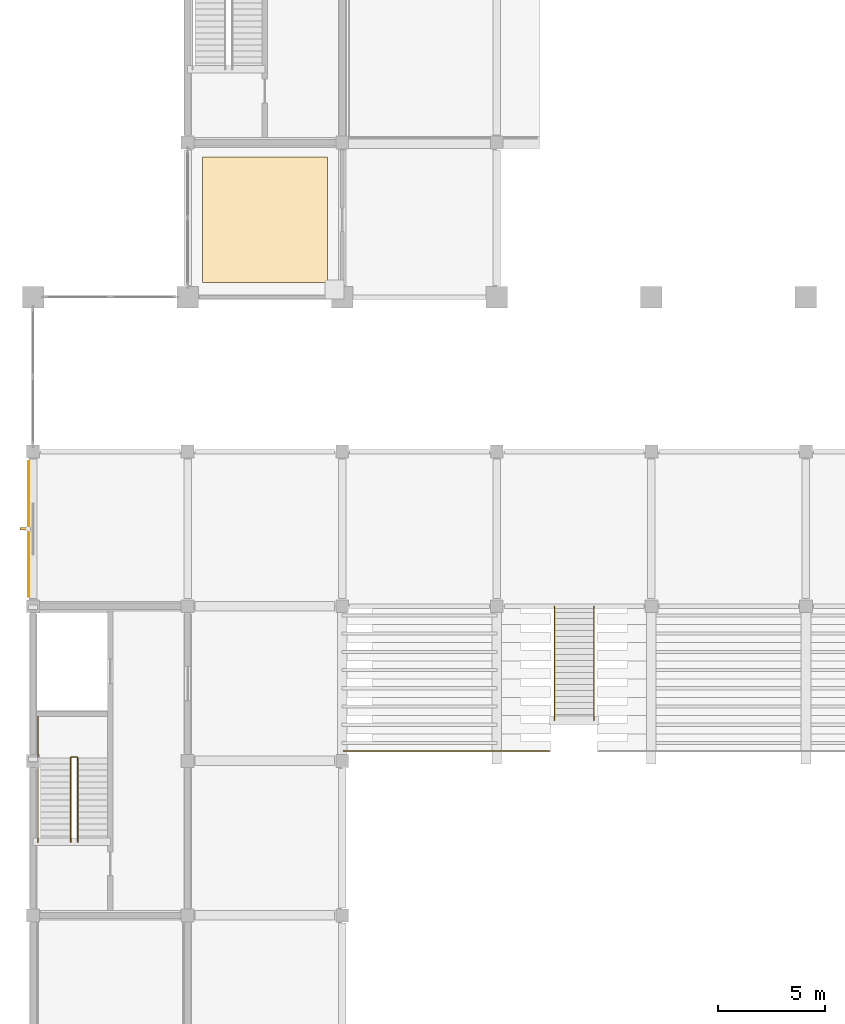
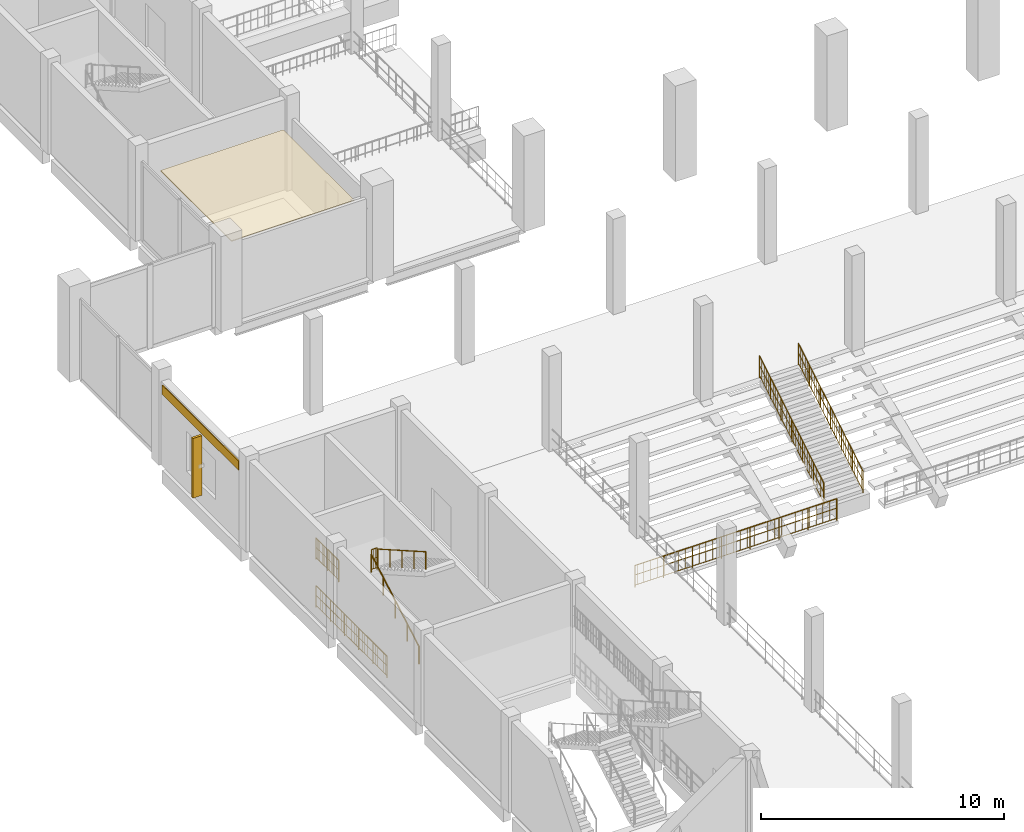
# One storey, part 89 of 99: 8 railings, 2 coverings, 1 shading device.
"""IFC4 building model written with IfcOpenShell, lengths in metres."""

from ifc_helpers import new_model, si_unit, direction, frame, frame_2d, origin, origin_2d, place, context, subcontext, project, spatial, polyline, rectangle, circle, outline, extrude, material, layer, layer_set, type_object, element, save


model = new_model("IFC4")

# Units and contexts
model_context = context("Model", 3, precision=1e-05, world=origin(), true_north=direction((0.0, 1.0)))
body_context = subcontext(model_context, "Body", "Model", "MODEL_VIEW")
ifc_project = project(units=[si_unit("LENGTHUNIT", "METRE"), si_unit("AREAUNIT", "SQUARE_METRE"), si_unit("VOLUMEUNIT", "CUBIC_METRE"), si_unit("PLANEANGLEUNIT", "RADIAN"), si_unit("MASSUNIT", "GRAM", prefix="KILO")], contexts=[model_context])

# Site, building, storey
site_placement = place(None, origin())
site = spatial("IfcSite", under=ifc_project, at=site_placement, CompositionType="ELEMENT")
building_placement = place(site_placement, origin())
building = spatial("IfcBuilding", under=site, at=building_placement, Name="Vesperath Aquatics Centre", CompositionType="ELEMENT")
storey_placement = place(building_placement, frame((0.0, 0.0, 5.39990234375)))
storey = spatial("IfcBuildingStorey", under=building, at=storey_placement, Name="L01", CompositionType="ELEMENT", Elevation=5.39990234375)

# Coverings
ifc_material_1 = material(Name="Teal and ochre glazed ceramic majolica frieze", Category="ceramic")
ifc_layer_1 = layer(ifc_material_1, 0.0400390625)
ifc_layer_set_1 = layer_set([ifc_layer_1], Name="Teal and ochre glazed ceramic majolica frieze")
covering_type_1 = type_object("IfcCoveringType", Name="CV-CLD01", PredefinedType="CLADDING", material=ifc_layer_set_1)
covering_1_placement = place(storey_placement, frame((-0.2099609375, 72.449951171875, 3.64013671875), z_axis=(0.0, 0.0, 1.0), x_axis=(0.0, 1.0, 0.0)))
element("IfcCovering", 1, at=covering_1_placement, inside=storey, type_object=covering_type_1, Name="Majolica Ceramic Frieze CLD1 L01_W_00_10", PredefinedType="CLADDING", context=body_context, shape_type="SweptSolid", body=[
    extrude(rectangle(XDim=6.300048828125, YDim=0.0400390625, at=frame_2d((3.14990234375, 0.0))), origin(), (0.0, 0.0, 1.0), 0.469970703125),
])
ifc_material_2 = material(Name="Perforated moisture-resistant acoustic mineral-fibre ceiling", Category="gypsum")
ifc_layer_2 = layer(ifc_material_2, 0.044921875)
ifc_layer_set_2 = layer_set([ifc_layer_2], Name="Perforated moisture-resistant acoustic mineral-fibre ceiling")
covering_type_2 = type_object("IfcCoveringType", Name="CV-CLG01", PredefinedType="CEILING", material=ifc_layer_set_2)
covering_2_placement = place(storey_placement, frame((0.0, 0.0, 3.425048828125)))
element("IfcCovering", 2, at=covering_2_placement, inside=storey, type_object=covering_type_2, Name="Acoustic Suspended Ceiling CLG1 L01_DIVE_JDG", PredefinedType="CEILING", context=body_context, shape_type="SweptSolid", body=[
    extrude(outline(polyline([(7.8798828125, 87.080078125), (13.719970703125, 87.080078125), (13.719970703125, 92.919921875), (7.8798828125, 92.919921875), (7.8798828125, 87.080078125)])), origin(), (0.0, 0.0, 1.0), 0.045166015625),
])

# Railings
ifc_material_3 = material(Name="Powder-coated galvanized steel safety guard", Category="steel")
railing_type_1 = type_object("IfcRailingType", Name="RL-GRD01", PredefinedType="GUARDRAIL", material=ifc_material_3)
railing_1_placement = place(storey_placement, frame((1.780029296875, 64.97998046875, 2.400146484375)))
element("IfcRailing", 3, at=railing_1_placement, inside=storey, type_object=railing_type_1, Name="Stair ST2 Half-Landing Slot Guard GR02 L01", PredefinedType="GUARDRAIL", context=body_context, shape_type="SweptSolid", body=[
    extrude(circle(Radius=0.02392578125, at=origin_2d()), frame((0.0, 0.0, 1.0859375), z_axis=(1.0, 0.0, 0.0), x_axis=(0.0, 1.0, 0.0)), (0.0, 0.0, 1.0), 0.260009765625),
    extrude(circle(Radius=0.01611328125, at=origin_2d()), frame((0.0, 0.0, 0.10009765625), z_axis=(1.0, 0.0, 0.0), x_axis=(0.0, 1.0, 0.0)), (0.0, 0.0, 1.0), 0.260009765625),
    extrude(circle(Radius=0.01611328125, at=origin_2d()), frame((0.0, 0.0, 0.610595703125), z_axis=(1.0, 0.0, 0.0), x_axis=(0.0, 1.0, 0.0)), (0.0, 0.0, 1.0), 0.260009765625),
    extrude(circle(Radius=0.009033203125, at=origin_2d()), frame((0.086669921875, 0.0, 0.10009765625)), (0.0, 0.0, 1.0), 0.9619140625),
    extrude(circle(Radius=0.009033203125, at=origin_2d()), frame((0.17333984375, 0.0, 0.10009765625)), (0.0, 0.0, 1.0), 0.9619140625),
    extrude(circle(Radius=0.02197265625, at=origin_2d()), origin(), (0.0, 0.0, 1.0), 1.0859375),
    extrude(circle(Radius=0.02197265625, at=origin_2d()), frame((0.260009765625, 0.0, 0.0)), (0.0, 0.0, 1.0), 1.0859375),
])
railing_2_placement = place(storey_placement, frame((0.219970703125, 64.97998046875, 2.400146484375)))
element("IfcRailing", 4, at=railing_2_placement, inside=storey, type_object=railing_type_1, Name="Stair ST2 Half-Landing Wall Guard GR02 L01", PredefinedType="GUARDRAIL", context=body_context, shape_type="SweptSolid", body=[
    extrude(circle(Radius=0.02392578125, at=origin_2d()), frame((0.0, 0.0, 1.0859375), z_axis=(0.0, 1.0, 0.0), x_axis=(-1.0, 0.0, 0.0)), (0.0, 0.0, 1.0), 1.880126953125),
    extrude(circle(Radius=0.01611328125, at=origin_2d()), frame((0.0, 0.0, 0.10009765625), z_axis=(0.0, 1.0, 0.0), x_axis=(-1.0, 0.0, 0.0)), (0.0, 0.0, 1.0), 1.880126953125),
    extrude(circle(Radius=0.01611328125, at=origin_2d()), frame((0.0, 0.0, 0.610595703125), z_axis=(0.0, 1.0, 0.0), x_axis=(-1.0, 0.0, 0.0)), (0.0, 0.0, 1.0), 1.880126953125),
    extrude(circle(Radius=0.009033203125, at=origin_2d()), frame((0.0, 0.1044921875, 0.10009765625)), (0.0, 0.0, 1.0), 0.9619140625),
    extrude(circle(Radius=0.009033203125, at=origin_2d()), frame((0.0, 0.208984375, 0.10009765625)), (0.0, 0.0, 1.0), 0.9619140625),
    extrude(circle(Radius=0.009033203125, at=origin_2d()), frame((0.0, 0.3134765625, 0.10009765625)), (0.0, 0.0, 1.0), 0.9619140625),
    extrude(circle(Radius=0.009033203125, at=origin_2d()), frame((0.0, 0.417724609375, 0.10009765625)), (0.0, 0.0, 1.0), 0.9619140625),
    extrude(circle(Radius=0.009033203125, at=origin_2d()), frame((0.0, 0.522216796875, 0.10009765625)), (0.0, 0.0, 1.0), 0.9619140625),
    extrude(circle(Radius=0.009033203125, at=origin_2d()), frame((0.0, 0.626708984375, 0.10009765625)), (0.0, 0.0, 1.0), 0.9619140625),
    extrude(circle(Radius=0.009033203125, at=origin_2d()), frame((0.0, 0.731201171875, 0.10009765625)), (0.0, 0.0, 1.0), 0.9619140625),
    extrude(circle(Radius=0.009033203125, at=origin_2d()), frame((0.0, 0.835693359375, 0.10009765625)), (0.0, 0.0, 1.0), 0.9619140625),
    extrude(circle(Radius=0.009033203125, at=origin_2d()), frame((0.0, 0.93994140625, 0.10009765625)), (0.0, 0.0, 1.0), 0.9619140625),
    extrude(circle(Radius=0.009033203125, at=origin_2d()), frame((0.0, 1.04443359375, 0.10009765625)), (0.0, 0.0, 1.0), 0.9619140625),
    extrude(circle(Radius=0.009033203125, at=origin_2d()), frame((0.0, 1.14892578125, 0.10009765625)), (0.0, 0.0, 1.0), 0.9619140625),
    extrude(circle(Radius=0.009033203125, at=origin_2d()), frame((0.0, 1.25341796875, 0.10009765625)), (0.0, 0.0, 1.0), 0.9619140625),
    extrude(circle(Radius=0.009033203125, at=origin_2d()), frame((0.0, 1.35791015625, 0.10009765625)), (0.0, 0.0, 1.0), 0.9619140625),
    extrude(circle(Radius=0.009033203125, at=origin_2d()), frame((0.0, 1.46240234375, 0.10009765625)), (0.0, 0.0, 1.0), 0.9619140625),
    extrude(circle(Radius=0.009033203125, at=origin_2d()), frame((0.0, 1.56689453125, 0.10009765625)), (0.0, 0.0, 1.0), 0.9619140625),
    extrude(circle(Radius=0.009033203125, at=origin_2d()), frame((0.0, 1.671142578125, 0.10009765625)), (0.0, 0.0, 1.0), 0.9619140625),
    extrude(circle(Radius=0.009033203125, at=origin_2d()), frame((0.0, 1.775634765625, 0.10009765625)), (0.0, 0.0, 1.0), 0.9619140625),
    extrude(circle(Radius=0.02197265625, at=origin_2d()), origin(), (0.0, 0.0, 1.0), 1.0859375),
    extrude(circle(Radius=0.02197265625, at=origin_2d()), frame((0.0, 0.93994140625, 0.0)), (0.0, 0.0, 1.0), 1.0859375),
    extrude(circle(Radius=0.02197265625, at=origin_2d()), frame((0.0, 1.880126953125, 0.0)), (0.0, 0.0, 1.0), 1.0859375),
])
railing_3_placement = place(storey_placement, frame((0.219970703125, 61.0, 0.0)))
element("IfcRailing", 5, at=railing_3_placement, inside=storey, type_object=railing_type_1, Name="Stair ST2 Shaft Side Guard GR02 L01", PredefinedType="GUARDRAIL", context=body_context, shape_type="SweptSolid", body=[
    extrude(circle(Radius=0.02392578125, at=origin_2d()), frame((0.0, 0.0, 1.0859375), z_axis=(0.0, 1.0, 0.0), x_axis=(-1.0, 0.0, 0.0)), (0.0, 0.0, 1.0), 5.840087890625),
    extrude(circle(Radius=0.01611328125, at=origin_2d()), frame((0.0, 0.0, 0.10009765625), z_axis=(0.0, 1.0, 0.0), x_axis=(-1.0, 0.0, 0.0)), (0.0, 0.0, 1.0), 5.840087890625),
    extrude(circle(Radius=0.01611328125, at=origin_2d()), frame((0.0, 0.0, 0.610595703125), z_axis=(0.0, 1.0, 0.0), x_axis=(-1.0, 0.0, 0.0)), (0.0, 0.0, 1.0), 5.840087890625),
    extrude(circle(Radius=0.009033203125, at=origin_2d()), frame((0.0, 0.108154296875, 0.10009765625)), (0.0, 0.0, 1.0), 0.9619140625),
    extrude(circle(Radius=0.009033203125, at=origin_2d()), frame((0.0, 0.324462890625, 0.10009765625)), (0.0, 0.0, 1.0), 0.9619140625),
    extrude(circle(Radius=0.009033203125, at=origin_2d()), frame((0.0, 0.540771484375, 0.10009765625)), (0.0, 0.0, 1.0), 0.9619140625),
    extrude(circle(Radius=0.009033203125, at=origin_2d()), frame((0.0, 0.757080078125, 0.10009765625)), (0.0, 0.0, 1.0), 0.9619140625),
    extrude(circle(Radius=0.009033203125, at=origin_2d()), frame((0.0, 0.973388671875, 0.10009765625)), (0.0, 0.0, 1.0), 0.9619140625),
    extrude(circle(Radius=0.009033203125, at=origin_2d()), frame((0.0, 1.189697265625, 0.10009765625)), (0.0, 0.0, 1.0), 0.9619140625),
    extrude(circle(Radius=0.009033203125, at=origin_2d()), frame((0.0, 1.406005859375, 0.10009765625)), (0.0, 0.0, 1.0), 0.9619140625),
    extrude(circle(Radius=0.009033203125, at=origin_2d()), frame((0.0, 1.622314453125, 0.10009765625)), (0.0, 0.0, 1.0), 0.9619140625),
    extrude(circle(Radius=0.009033203125, at=origin_2d()), frame((0.0, 1.838623046875, 0.10009765625)), (0.0, 0.0, 1.0), 0.9619140625),
    extrude(circle(Radius=0.009033203125, at=origin_2d()), frame((0.0, 2.054931640625, 0.10009765625)), (0.0, 0.0, 1.0), 0.9619140625),
    extrude(circle(Radius=0.009033203125, at=origin_2d()), frame((0.0, 2.271240234375, 0.10009765625)), (0.0, 0.0, 1.0), 0.9619140625),
    extrude(circle(Radius=0.009033203125, at=origin_2d()), frame((0.0, 2.487548828125, 0.10009765625)), (0.0, 0.0, 1.0), 0.9619140625),
    extrude(circle(Radius=0.009033203125, at=origin_2d()), frame((0.0, 2.703857421875, 0.10009765625)), (0.0, 0.0, 1.0), 0.9619140625),
    extrude(circle(Radius=0.009033203125, at=origin_2d()), frame((0.0, 2.919921875, 0.10009765625)), (0.0, 0.0, 1.0), 0.9619140625),
    extrude(circle(Radius=0.009033203125, at=origin_2d()), frame((0.0, 3.13623046875, 0.10009765625)), (0.0, 0.0, 1.0), 0.9619140625),
    extrude(circle(Radius=0.009033203125, at=origin_2d()), frame((0.0, 3.3525390625, 0.10009765625)), (0.0, 0.0, 1.0), 0.9619140625),
    extrude(circle(Radius=0.009033203125, at=origin_2d()), frame((0.0, 3.56884765625, 0.10009765625)), (0.0, 0.0, 1.0), 0.9619140625),
    extrude(circle(Radius=0.009033203125, at=origin_2d()), frame((0.0, 3.78515625, 0.10009765625)), (0.0, 0.0, 1.0), 0.9619140625),
    extrude(circle(Radius=0.009033203125, at=origin_2d()), frame((0.0, 4.00146484375, 0.10009765625)), (0.0, 0.0, 1.0), 0.9619140625),
    extrude(circle(Radius=0.009033203125, at=origin_2d()), frame((0.0, 4.2177734375, 0.10009765625)), (0.0, 0.0, 1.0), 0.9619140625),
    extrude(circle(Radius=0.009033203125, at=origin_2d()), frame((0.0, 4.43408203125, 0.10009765625)), (0.0, 0.0, 1.0), 0.9619140625),
    extrude(circle(Radius=0.009033203125, at=origin_2d()), frame((0.0, 4.650390625, 0.10009765625)), (0.0, 0.0, 1.0), 0.9619140625),
    extrude(circle(Radius=0.009033203125, at=origin_2d()), frame((0.0, 4.86669921875, 0.10009765625)), (0.0, 0.0, 1.0), 0.9619140625),
    extrude(circle(Radius=0.009033203125, at=origin_2d()), frame((0.0, 5.0830078125, 0.10009765625)), (0.0, 0.0, 1.0), 0.9619140625),
    extrude(circle(Radius=0.009033203125, at=origin_2d()), frame((0.0, 5.29931640625, 0.10009765625)), (0.0, 0.0, 1.0), 0.9619140625),
    extrude(circle(Radius=0.009033203125, at=origin_2d()), frame((0.0, 5.515625, 0.10009765625)), (0.0, 0.0, 1.0), 0.9619140625),
    extrude(circle(Radius=0.009033203125, at=origin_2d()), frame((0.0, 5.73193359375, 0.10009765625)), (0.0, 0.0, 1.0), 0.9619140625),
    extrude(circle(Radius=0.02197265625, at=origin_2d()), origin(), (0.0, 0.0, 1.0), 1.0859375),
    extrude(circle(Radius=0.02197265625, at=origin_2d()), frame((0.0, 1.16796875, 0.0)), (0.0, 0.0, 1.0), 1.0859375),
    extrude(circle(Radius=0.02197265625, at=origin_2d()), frame((0.0, 2.3359375, 0.0)), (0.0, 0.0, 1.0), 1.0859375),
    extrude(circle(Radius=0.02197265625, at=origin_2d()), frame((0.0, 3.504150390625, 0.0)), (0.0, 0.0, 1.0), 1.0859375),
    extrude(circle(Radius=0.02197265625, at=origin_2d()), frame((0.0, 4.672119140625, 0.0)), (0.0, 0.0, 1.0), 1.0859375),
    extrude(circle(Radius=0.02197265625, at=origin_2d()), frame((0.0, 5.840087890625, 0.0)), (0.0, 0.0, 1.0), 1.0859375),
])
railing_4_placement = place(storey_placement, frame((24.280029296875, 66.679931640625, -3.199951171875)))
element("IfcRailing", 6, at=railing_4_placement, inside=storey, type_object=railing_type_1, Name="Vomitory VOM-04 Guardrail GR02-W", PredefinedType="GUARDRAIL", context=body_context, shape_type="SweptSolid", body=[
    extrude(circle(Radius=0.02392578125, at=origin_2d()), frame((0.0, 0.0, 1.0859375), z_axis=(0.0, 0.85693029826, 0.515432307801), x_axis=(-1.0, 0.0, 0.0)), (0.0, 0.0, 1.0), 6.208251953125),
    extrude(circle(Radius=0.01611328125, at=origin_2d()), frame((0.0, 0.0, 0.10009765625), z_axis=(0.0, 0.85693029826, 0.515432307801), x_axis=(-1.0, 0.0, 0.0)), (0.0, 0.0, 1.0), 6.208251953125),
    extrude(circle(Radius=0.01611328125, at=origin_2d()), frame((0.0, 0.0, 0.610595703125), z_axis=(0.0, 0.85693029826, 0.515432307801), x_axis=(-1.0, 0.0, 0.0)), (0.0, 0.0, 1.0), 6.208251953125),
    extrude(circle(Radius=0.009033203125, at=origin_2d()), frame((0.0, 0.09326171875, 0.15625)), (0.0, 0.0, 1.0), 0.9619140625),
    extrude(circle(Radius=0.009033203125, at=origin_2d()), frame((0.0, 0.280029296875, 0.2685546875)), (0.0, 0.0, 1.0), 0.9619140625),
    extrude(circle(Radius=0.009033203125, at=origin_2d()), frame((0.0, 0.466552734375, 0.380859375)), (0.0, 0.0, 1.0), 0.9619140625),
    extrude(circle(Radius=0.009033203125, at=origin_2d()), frame((0.0, 0.6533203125, 0.4931640625)), (0.0, 0.0, 1.0), 0.9619140625),
    extrude(circle(Radius=0.009033203125, at=origin_2d()), frame((0.0, 0.840087890625, 0.60546875)), (0.0, 0.0, 1.0), 0.9619140625),
    extrude(circle(Radius=0.009033203125, at=origin_2d()), frame((0.0, 1.026611328125, 0.717529296875)), (0.0, 0.0, 1.0), 0.9619140625),
    extrude(circle(Radius=0.009033203125, at=origin_2d()), frame((0.0, 1.21337890625, 0.829833984375)), (0.0, 0.0, 1.0), 0.9619140625),
    extrude(circle(Radius=0.009033203125, at=origin_2d()), frame((0.0, 1.39990234375, 0.942138671875)), (0.0, 0.0, 1.0), 0.9619140625),
    extrude(circle(Radius=0.009033203125, at=origin_2d()), frame((0.0, 1.586669921875, 1.054443359375)), (0.0, 0.0, 1.0), 0.9619140625),
    extrude(circle(Radius=0.009033203125, at=origin_2d()), frame((0.0, 1.7734375, 1.166748046875)), (0.0, 0.0, 1.0), 0.9619140625),
    extrude(circle(Radius=0.009033203125, at=origin_2d()), frame((0.0, 1.9599609375, 1.279052734375)), (0.0, 0.0, 1.0), 0.9619140625),
    extrude(circle(Radius=0.009033203125, at=origin_2d()), frame((0.0, 2.146728515625, 1.391357421875)), (0.0, 0.0, 1.0), 0.9619140625),
    extrude(circle(Radius=0.009033203125, at=origin_2d()), frame((0.0, 2.333251953125, 1.503662109375)), (0.0, 0.0, 1.0), 0.9619140625),
    extrude(circle(Radius=0.009033203125, at=origin_2d()), frame((0.0, 2.52001953125, 1.615966796875)), (0.0, 0.0, 1.0), 0.9619140625),
    extrude(circle(Radius=0.009033203125, at=origin_2d()), frame((0.0, 2.706787109375, 1.72802734375)), (0.0, 0.0, 1.0), 0.9619140625),
    extrude(circle(Radius=0.009033203125, at=origin_2d()), frame((0.0, 2.893310546875, 1.84033203125)), (0.0, 0.0, 1.0), 0.9619140625),
    extrude(circle(Radius=0.009033203125, at=origin_2d()), frame((0.0, 3.080078125, 1.95263671875)), (0.0, 0.0, 1.0), 0.9619140625),
    extrude(circle(Radius=0.009033203125, at=origin_2d()), frame((0.0, 3.2666015625, 2.06494140625)), (0.0, 0.0, 1.0), 0.9619140625),
    extrude(circle(Radius=0.009033203125, at=origin_2d()), frame((0.0, 3.453369140625, 2.17724609375)), (0.0, 0.0, 1.0), 0.9619140625),
    extrude(circle(Radius=0.009033203125, at=origin_2d()), frame((0.0, 3.64013671875, 2.28955078125)), (0.0, 0.0, 1.0), 0.9619140625),
    extrude(circle(Radius=0.009033203125, at=origin_2d()), frame((0.0, 3.82666015625, 2.40185546875)), (0.0, 0.0, 1.0), 0.9619140625),
    extrude(circle(Radius=0.009033203125, at=origin_2d()), frame((0.0, 4.013427734375, 2.51416015625)), (0.0, 0.0, 1.0), 0.9619140625),
    extrude(circle(Radius=0.009033203125, at=origin_2d()), frame((0.0, 4.199951171875, 2.62646484375)), (0.0, 0.0, 1.0), 0.9619140625),
    extrude(circle(Radius=0.009033203125, at=origin_2d()), frame((0.0, 4.38671875, 2.73876953125)), (0.0, 0.0, 1.0), 0.9619140625),
    extrude(circle(Radius=0.009033203125, at=origin_2d()), frame((0.0, 4.573486328125, 2.850830078125)), (0.0, 0.0, 1.0), 0.9619140625),
    extrude(circle(Radius=0.009033203125, at=origin_2d()), frame((0.0, 4.760009765625, 2.963134765625)), (0.0, 0.0, 1.0), 0.9619140625),
    extrude(circle(Radius=0.009033203125, at=origin_2d()), frame((0.0, 4.94677734375, 3.075439453125)), (0.0, 0.0, 1.0), 0.9619140625),
    extrude(circle(Radius=0.009033203125, at=origin_2d()), frame((0.0, 5.13330078125, 3.187744140625)), (0.0, 0.0, 1.0), 0.9619140625),
    extrude(circle(Radius=0.02197265625, at=origin_2d()), origin(), (0.0, 0.0, 1.0), 1.0859375),
    extrude(circle(Radius=0.02197265625, at=origin_2d()), frame((0.0, 0.88671875, 0.533203125)), (0.0, 0.0, 1.0), 1.0859375),
    extrude(circle(Radius=0.02197265625, at=origin_2d()), frame((0.0, 1.7734375, 1.066650390625)), (0.0, 0.0, 1.0), 1.0859375),
    extrude(circle(Radius=0.02197265625, at=origin_2d()), frame((0.0, 2.66015625, 1.60009765625)), (0.0, 0.0, 1.0), 1.0859375),
    extrude(circle(Radius=0.02197265625, at=origin_2d()), frame((0.0, 3.546630859375, 2.13330078125)), (0.0, 0.0, 1.0), 1.0859375),
    extrude(circle(Radius=0.02197265625, at=origin_2d()), frame((0.0, 4.433349609375, 2.66650390625)), (0.0, 0.0, 1.0), 1.0859375),
    extrude(circle(Radius=0.02197265625, at=origin_2d()), frame((0.0, 5.320068359375, 3.199951171875)), (0.0, 0.0, 1.0), 1.0859375),
])
railing_5_placement = place(storey_placement, frame((26.1201171875, 66.679931640625, -3.199951171875)))
element("IfcRailing", 7, at=railing_5_placement, inside=storey, type_object=railing_type_1, Name="Vomitory VOM-04 Guardrail GR02-E", PredefinedType="GUARDRAIL", context=body_context, shape_type="SweptSolid", body=[
    extrude(circle(Radius=0.02392578125, at=origin_2d()), frame((0.0, 0.0, 1.0859375), z_axis=(0.0, 0.85693029826, 0.515432307801), x_axis=(-1.0, 0.0, 0.0)), (0.0, 0.0, 1.0), 6.208251953125),
    extrude(circle(Radius=0.01611328125, at=origin_2d()), frame((0.0, 0.0, 0.10009765625), z_axis=(0.0, 0.85693029826, 0.515432307801), x_axis=(-1.0, 0.0, 0.0)), (0.0, 0.0, 1.0), 6.208251953125),
    extrude(circle(Radius=0.01611328125, at=origin_2d()), frame((0.0, 0.0, 0.610595703125), z_axis=(0.0, 0.85693029826, 0.515432307801), x_axis=(-1.0, 0.0, 0.0)), (0.0, 0.0, 1.0), 6.208251953125),
    extrude(circle(Radius=0.009033203125, at=origin_2d()), frame((0.0, 0.09326171875, 0.15625)), (0.0, 0.0, 1.0), 0.9619140625),
    extrude(circle(Radius=0.009033203125, at=origin_2d()), frame((0.0, 0.280029296875, 0.2685546875)), (0.0, 0.0, 1.0), 0.9619140625),
    extrude(circle(Radius=0.009033203125, at=origin_2d()), frame((0.0, 0.466552734375, 0.380859375)), (0.0, 0.0, 1.0), 0.9619140625),
    extrude(circle(Radius=0.009033203125, at=origin_2d()), frame((0.0, 0.6533203125, 0.4931640625)), (0.0, 0.0, 1.0), 0.9619140625),
    extrude(circle(Radius=0.009033203125, at=origin_2d()), frame((0.0, 0.840087890625, 0.60546875)), (0.0, 0.0, 1.0), 0.9619140625),
    extrude(circle(Radius=0.009033203125, at=origin_2d()), frame((0.0, 1.026611328125, 0.717529296875)), (0.0, 0.0, 1.0), 0.9619140625),
    extrude(circle(Radius=0.009033203125, at=origin_2d()), frame((0.0, 1.21337890625, 0.829833984375)), (0.0, 0.0, 1.0), 0.9619140625),
    extrude(circle(Radius=0.009033203125, at=origin_2d()), frame((0.0, 1.39990234375, 0.942138671875)), (0.0, 0.0, 1.0), 0.9619140625),
    extrude(circle(Radius=0.009033203125, at=origin_2d()), frame((0.0, 1.586669921875, 1.054443359375)), (0.0, 0.0, 1.0), 0.9619140625),
    extrude(circle(Radius=0.009033203125, at=origin_2d()), frame((0.0, 1.7734375, 1.166748046875)), (0.0, 0.0, 1.0), 0.9619140625),
    extrude(circle(Radius=0.009033203125, at=origin_2d()), frame((0.0, 1.9599609375, 1.279052734375)), (0.0, 0.0, 1.0), 0.9619140625),
    extrude(circle(Radius=0.009033203125, at=origin_2d()), frame((0.0, 2.146728515625, 1.391357421875)), (0.0, 0.0, 1.0), 0.9619140625),
    extrude(circle(Radius=0.009033203125, at=origin_2d()), frame((0.0, 2.333251953125, 1.503662109375)), (0.0, 0.0, 1.0), 0.9619140625),
    extrude(circle(Radius=0.009033203125, at=origin_2d()), frame((0.0, 2.52001953125, 1.615966796875)), (0.0, 0.0, 1.0), 0.9619140625),
    extrude(circle(Radius=0.009033203125, at=origin_2d()), frame((0.0, 2.706787109375, 1.72802734375)), (0.0, 0.0, 1.0), 0.9619140625),
    extrude(circle(Radius=0.009033203125, at=origin_2d()), frame((0.0, 2.893310546875, 1.84033203125)), (0.0, 0.0, 1.0), 0.9619140625),
    extrude(circle(Radius=0.009033203125, at=origin_2d()), frame((0.0, 3.080078125, 1.95263671875)), (0.0, 0.0, 1.0), 0.9619140625),
    extrude(circle(Radius=0.009033203125, at=origin_2d()), frame((0.0, 3.2666015625, 2.06494140625)), (0.0, 0.0, 1.0), 0.9619140625),
    extrude(circle(Radius=0.009033203125, at=origin_2d()), frame((0.0, 3.453369140625, 2.17724609375)), (0.0, 0.0, 1.0), 0.9619140625),
    extrude(circle(Radius=0.009033203125, at=origin_2d()), frame((0.0, 3.64013671875, 2.28955078125)), (0.0, 0.0, 1.0), 0.9619140625),
    extrude(circle(Radius=0.009033203125, at=origin_2d()), frame((0.0, 3.82666015625, 2.40185546875)), (0.0, 0.0, 1.0), 0.9619140625),
    extrude(circle(Radius=0.009033203125, at=origin_2d()), frame((0.0, 4.013427734375, 2.51416015625)), (0.0, 0.0, 1.0), 0.9619140625),
    extrude(circle(Radius=0.009033203125, at=origin_2d()), frame((0.0, 4.199951171875, 2.62646484375)), (0.0, 0.0, 1.0), 0.9619140625),
    extrude(circle(Radius=0.009033203125, at=origin_2d()), frame((0.0, 4.38671875, 2.73876953125)), (0.0, 0.0, 1.0), 0.9619140625),
    extrude(circle(Radius=0.009033203125, at=origin_2d()), frame((0.0, 4.573486328125, 2.850830078125)), (0.0, 0.0, 1.0), 0.9619140625),
    extrude(circle(Radius=0.009033203125, at=origin_2d()), frame((0.0, 4.760009765625, 2.963134765625)), (0.0, 0.0, 1.0), 0.9619140625),
    extrude(circle(Radius=0.009033203125, at=origin_2d()), frame((0.0, 4.94677734375, 3.075439453125)), (0.0, 0.0, 1.0), 0.9619140625),
    extrude(circle(Radius=0.009033203125, at=origin_2d()), frame((0.0, 5.13330078125, 3.187744140625)), (0.0, 0.0, 1.0), 0.9619140625),
    extrude(circle(Radius=0.02197265625, at=origin_2d()), origin(), (0.0, 0.0, 1.0), 1.0859375),
    extrude(circle(Radius=0.02197265625, at=origin_2d()), frame((0.0, 0.88671875, 0.533203125)), (0.0, 0.0, 1.0), 1.0859375),
    extrude(circle(Radius=0.02197265625, at=origin_2d()), frame((0.0, 1.7734375, 1.066650390625)), (0.0, 0.0, 1.0), 1.0859375),
    extrude(circle(Radius=0.02197265625, at=origin_2d()), frame((0.0, 2.66015625, 1.60009765625)), (0.0, 0.0, 1.0), 1.0859375),
    extrude(circle(Radius=0.02197265625, at=origin_2d()), frame((0.0, 3.546630859375, 2.13330078125)), (0.0, 0.0, 1.0), 1.0859375),
    extrude(circle(Radius=0.02197265625, at=origin_2d()), frame((0.0, 4.433349609375, 2.66650390625)), (0.0, 0.0, 1.0), 1.0859375),
    extrude(circle(Radius=0.02197265625, at=origin_2d()), frame((0.0, 5.320068359375, 3.199951171875)), (0.0, 0.0, 1.0), 1.0859375),
])
railing_6_placement = place(storey_placement, frame((14.449951171875, 65.25, -3.0)))
element("IfcRailing", 8, at=railing_6_placement, inside=storey, type_object=railing_type_1, Name="Safety Guardrail GR02 GRD_L01_BOWL_N1", PredefinedType="GUARDRAIL", context=body_context, shape_type="SweptSolid", body=[
    extrude(circle(Radius=0.02392578125, at=origin_2d()), frame((0.0, 0.0, 1.0859375), z_axis=(1.0, 0.0, 0.0), x_axis=(0.0, 1.0, 0.0)), (0.0, 0.0, 1.0), 9.60009765625),
    extrude(circle(Radius=0.01611328125, at=origin_2d()), frame((0.0, 0.0, 0.10009765625), z_axis=(1.0, 0.0, 0.0), x_axis=(0.0, 1.0, 0.0)), (0.0, 0.0, 1.0), 9.60009765625),
    extrude(circle(Radius=0.01611328125, at=origin_2d()), frame((0.0, 0.0, 0.610595703125), z_axis=(1.0, 0.0, 0.0), x_axis=(0.0, 1.0, 0.0)), (0.0, 0.0, 1.0), 9.60009765625),
    extrude(circle(Radius=0.009033203125, at=origin_2d()), frame((0.109130859375, 0.0, 0.10009765625)), (0.0, 0.0, 1.0), 0.9619140625),
    extrude(circle(Radius=0.009033203125, at=origin_2d()), frame((0.436279296875, 0.0, 0.10009765625)), (0.0, 0.0, 1.0), 0.9619140625),
    extrude(circle(Radius=0.009033203125, at=origin_2d()), frame((0.763671875, 0.0, 0.10009765625)), (0.0, 0.0, 1.0), 0.9619140625),
    extrude(circle(Radius=0.009033203125, at=origin_2d()), frame((1.0908203125, 0.0, 0.10009765625)), (0.0, 0.0, 1.0), 0.9619140625),
    extrude(circle(Radius=0.009033203125, at=origin_2d()), frame((1.418212890625, 0.0, 0.10009765625)), (0.0, 0.0, 1.0), 0.9619140625),
    extrude(circle(Radius=0.009033203125, at=origin_2d()), frame((1.745361328125, 0.0, 0.10009765625)), (0.0, 0.0, 1.0), 0.9619140625),
    extrude(circle(Radius=0.009033203125, at=origin_2d()), frame((2.07275390625, 0.0, 0.10009765625)), (0.0, 0.0, 1.0), 0.9619140625),
    extrude(circle(Radius=0.009033203125, at=origin_2d()), frame((2.39990234375, 0.0, 0.10009765625)), (0.0, 0.0, 1.0), 0.9619140625),
    extrude(circle(Radius=0.009033203125, at=origin_2d()), frame((2.727294921875, 0.0, 0.10009765625)), (0.0, 0.0, 1.0), 0.9619140625),
    extrude(circle(Radius=0.009033203125, at=origin_2d()), frame((3.0546875, 0.0, 0.10009765625)), (0.0, 0.0, 1.0), 0.9619140625),
    extrude(circle(Radius=0.009033203125, at=origin_2d()), frame((3.3818359375, 0.0, 0.10009765625)), (0.0, 0.0, 1.0), 0.9619140625),
    extrude(circle(Radius=0.009033203125, at=origin_2d()), frame((3.709228515625, 0.0, 0.10009765625)), (0.0, 0.0, 1.0), 0.9619140625),
    extrude(circle(Radius=0.009033203125, at=origin_2d()), frame((4.036376953125, 0.0, 0.10009765625)), (0.0, 0.0, 1.0), 0.9619140625),
    extrude(circle(Radius=0.009033203125, at=origin_2d()), frame((4.36376953125, 0.0, 0.10009765625)), (0.0, 0.0, 1.0), 0.9619140625),
    extrude(circle(Radius=0.009033203125, at=origin_2d()), frame((4.69091796875, 0.0, 0.10009765625)), (0.0, 0.0, 1.0), 0.9619140625),
    extrude(circle(Radius=0.009033203125, at=origin_2d()), frame((5.018310546875, 0.0, 0.10009765625)), (0.0, 0.0, 1.0), 0.9619140625),
    extrude(circle(Radius=0.009033203125, at=origin_2d()), frame((5.345458984375, 0.0, 0.10009765625)), (0.0, 0.0, 1.0), 0.9619140625),
    extrude(circle(Radius=0.009033203125, at=origin_2d()), frame((5.6728515625, 0.0, 0.10009765625)), (0.0, 0.0, 1.0), 0.9619140625),
    extrude(circle(Radius=0.009033203125, at=origin_2d()), frame((6.0, 0.0, 0.10009765625)), (0.0, 0.0, 1.0), 0.9619140625),
    extrude(circle(Radius=0.009033203125, at=origin_2d()), frame((6.327392578125, 0.0, 0.10009765625)), (0.0, 0.0, 1.0), 0.9619140625),
    extrude(circle(Radius=0.009033203125, at=origin_2d()), frame((6.654541015625, 0.0, 0.10009765625)), (0.0, 0.0, 1.0), 0.9619140625),
    extrude(circle(Radius=0.009033203125, at=origin_2d()), frame((6.98193359375, 0.0, 0.10009765625)), (0.0, 0.0, 1.0), 0.9619140625),
    extrude(circle(Radius=0.009033203125, at=origin_2d()), frame((7.30908203125, 0.0, 0.10009765625)), (0.0, 0.0, 1.0), 0.9619140625),
    extrude(circle(Radius=0.009033203125, at=origin_2d()), frame((7.636474609375, 0.0, 0.10009765625)), (0.0, 0.0, 1.0), 0.9619140625),
    extrude(circle(Radius=0.009033203125, at=origin_2d()), frame((7.963623046875, 0.0, 0.10009765625)), (0.0, 0.0, 1.0), 0.9619140625),
    extrude(circle(Radius=0.009033203125, at=origin_2d()), frame((8.291015625, 0.0, 0.10009765625)), (0.0, 0.0, 1.0), 0.9619140625),
    extrude(circle(Radius=0.009033203125, at=origin_2d()), frame((8.6181640625, 0.0, 0.10009765625)), (0.0, 0.0, 1.0), 0.9619140625),
    extrude(circle(Radius=0.009033203125, at=origin_2d()), frame((8.945556640625, 0.0, 0.10009765625)), (0.0, 0.0, 1.0), 0.9619140625),
    extrude(circle(Radius=0.009033203125, at=origin_2d()), frame((9.272705078125, 0.0, 0.10009765625)), (0.0, 0.0, 1.0), 0.9619140625),
    extrude(circle(Radius=0.02197265625, at=origin_2d()), origin(), (0.0, 0.0, 1.0), 1.0859375),
    extrude(circle(Radius=0.02197265625, at=origin_2d()), frame((1.371337890625, 0.0, 0.0)), (0.0, 0.0, 1.0), 1.0859375),
    extrude(circle(Radius=0.02197265625, at=origin_2d()), frame((2.742919921875, 0.0, 0.0)), (0.0, 0.0, 1.0), 1.0859375),
    extrude(circle(Radius=0.02197265625, at=origin_2d()), frame((4.1142578125, 0.0, 0.0)), (0.0, 0.0, 1.0), 1.0859375),
    extrude(circle(Radius=0.02197265625, at=origin_2d()), frame((5.48583984375, 0.0, 0.0)), (0.0, 0.0, 1.0), 1.0859375),
    extrude(circle(Radius=0.02197265625, at=origin_2d()), frame((6.857177734375, 0.0, 0.0)), (0.0, 0.0, 1.0), 1.0859375),
    extrude(circle(Radius=0.02197265625, at=origin_2d()), frame((8.228759765625, 0.0, 0.0)), (0.0, 0.0, 1.0), 1.0859375),
    extrude(circle(Radius=0.02197265625, at=origin_2d()), frame((9.60009765625, 0.0, 0.0)), (0.0, 0.0, 1.0), 1.0859375),
])
ifc_material_4 = material(Name="Brushed stainless steel tubular handrail", Category="steel")
railing_type_2 = type_object("IfcRailingType", Name="RL-HND01", PredefinedType="HANDRAIL", material=ifc_material_4)
railing_7_placement = place(storey_placement, frame((1.75, 61.02001953125, 0.16015625)))
element("IfcRailing", 9, at=railing_7_placement, inside=storey, type_object=railing_type_2, Name="Stair ST2 Flight 1 Handrail HR01 L01", PredefinedType="HANDRAIL", context=body_context, shape_type="SweptSolid", body=[
    extrude(circle(Radius=0.02392578125, at=origin_2d()), frame((0.0, 0.0, 0.8759765625), z_axis=(0.0, 0.868239814368, 0.496144761885), x_axis=(-1.0, 0.0, 0.0)), (0.0, 0.0, 1.0), 4.514892578125),
    extrude(circle(Radius=0.02197265625, at=origin_2d()), origin(), (0.0, 0.0, 1.0), 0.8759765625),
    extrude(circle(Radius=0.02197265625, at=origin_2d()), frame((0.0, 0.97998046875, 0.56005859375)), (0.0, 0.0, 1.0), 0.8759765625),
    extrude(circle(Radius=0.02197265625, at=origin_2d()), frame((0.0, 1.9599609375, 1.1201171875)), (0.0, 0.0, 1.0), 0.8759765625),
    extrude(circle(Radius=0.02197265625, at=origin_2d()), frame((0.0, 2.93994140625, 1.679931640625)), (0.0, 0.0, 1.0), 0.8759765625),
    extrude(circle(Radius=0.02197265625, at=origin_2d()), frame((0.0, 3.919921875, 2.239990234375)), (0.0, 0.0, 1.0), 0.8759765625),
])
railing_8_placement = place(storey_placement, frame((2.070068359375, 64.93994140625, 2.56005859375)))
element("IfcRailing", 10, at=railing_8_placement, inside=storey, type_object=railing_type_2, Name="Stair ST2 Flight 2 Handrail HR01 L01", PredefinedType="HANDRAIL", context=body_context, shape_type="SweptSolid", body=[
    extrude(circle(Radius=0.02392578125, at=origin_2d()), frame((0.0, 0.0, 0.8759765625), z_axis=(0.0, -0.868239814368, 0.496144761885), x_axis=(1.0, 0.0, 0.0)), (0.0, 0.0, 1.0), 4.514892578125),
    extrude(circle(Radius=0.02197265625, at=origin_2d()), origin(), (0.0, 0.0, 1.0), 0.8759765625),
    extrude(circle(Radius=0.02197265625, at=origin_2d()), frame((0.0, -0.97998046875, 0.56005859375)), (0.0, 0.0, 1.0), 0.8759765625),
    extrude(circle(Radius=0.02197265625, at=origin_2d()), frame((0.0, -1.9599609375, 1.1201171875)), (0.0, 0.0, 1.0), 0.8759765625),
    extrude(circle(Radius=0.02197265625, at=origin_2d()), frame((0.0, -2.93994140625, 1.679931640625)), (0.0, 0.0, 1.0), 0.8759765625),
    extrude(circle(Radius=0.02197265625, at=origin_2d()), frame((0.0, -3.919921875, 2.239990234375)), (0.0, 0.0, 1.0), 0.8759765625),
])

# Shading device
ifc_material_5 = material(Name="Perforated bronze botanical solar fin", Category="aluminium")
shading_device_type = type_object("IfcShadingDeviceType", Name="SH-FIN01", PredefinedType="USERDEFINED", material=ifc_material_5)
shading_device_placement = place(storey_placement, frame((-0.39990234375, 75.60009765625, 0.5), z_axis=(0.0, 0.0, 1.0), x_axis=(1.0, 0.0, 0.0)))
element("IfcShadingDevice", 11, at=shading_device_placement, inside=storey, type_object=shading_device_type, Name="Botanical Bronze Solar Fin FN01 L01_W_00_10", ObjectType="FIN", PredefinedType="USERDEFINED", context=body_context, shape_type="SweptSolid", body=[
    extrude(rectangle(XDim=0.419921875, YDim=0.1201171875, at=origin_2d()), origin(), (0.0, 0.0, 1.0), 3.0),
])

save(model, "model.ifc")
